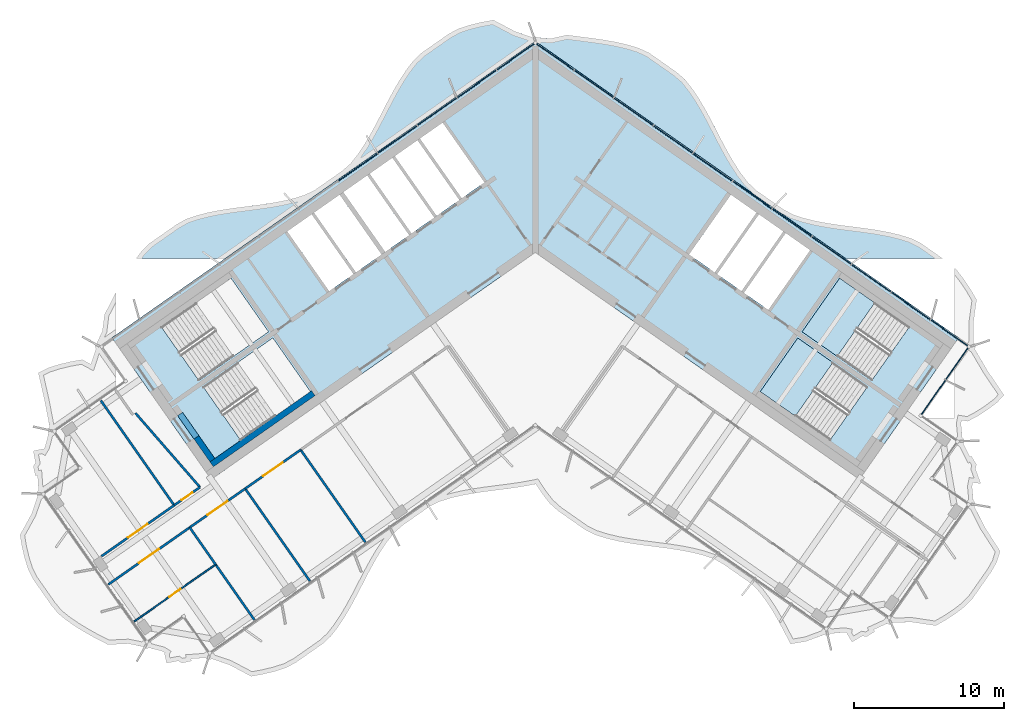
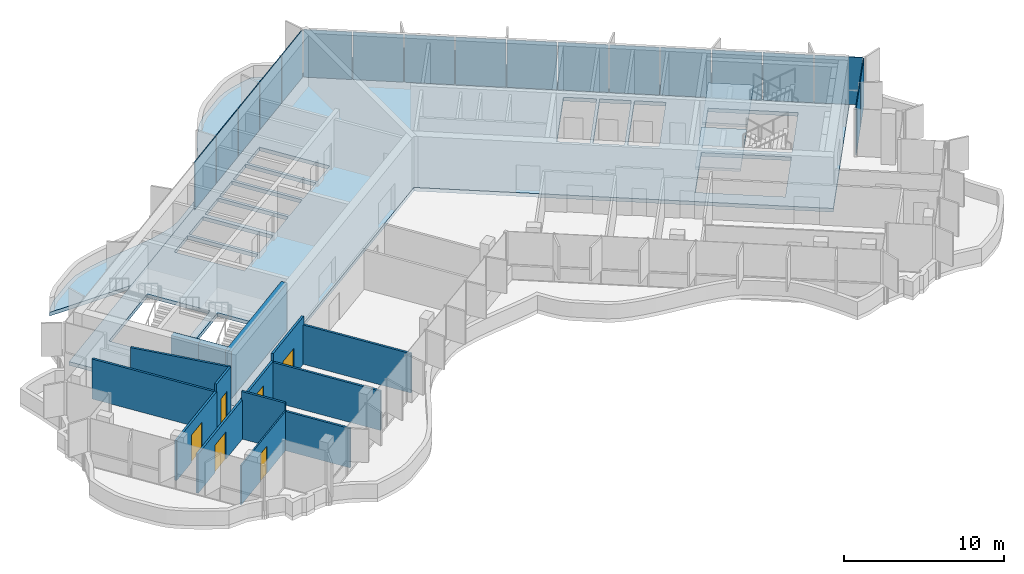
# One storey, part 8 of 17: 18 plates, 15 walls, 6 doors, 4 slabs, 6 openings, 3 elements without a shape of their own.
"""IFC4 building model written with IfcOpenShell, lengths in metres."""

from ifc_helpers import new_model, si_unit, direction, frame, frame_2d, origin, origin_2d, place, context, subcontext, project, spatial, polyline, rectangle, outline, extrude, material, layer, layer_set, type_object, element, fill, aggregate, save


model = new_model("IFC4")

# Units and contexts
model_context = context("Model", 3, precision=1e-05, world=origin(), true_north=direction((0.0, 1.0)))
body_context = subcontext(model_context, "Body", "Model", "MODEL_VIEW")
ifc_project = project(units=[si_unit("LENGTHUNIT", "METRE"), si_unit("AREAUNIT", "SQUARE_METRE"), si_unit("VOLUMEUNIT", "CUBIC_METRE"), si_unit("PLANEANGLEUNIT", "RADIAN"), si_unit("MASSUNIT", "GRAM", prefix="KILO")], contexts=[model_context])

# Site, building, storey
site_placement = place(None, origin())
site = spatial("IfcSite", under=ifc_project, at=site_placement, CompositionType="ELEMENT")
building_placement = place(site_placement, origin())
building = spatial("IfcBuilding", under=site, at=building_placement, Name="Tel Ilan Convention Tower", CompositionType="ELEMENT")
storey_placement = place(building_placement, frame((0.0, 0.0, 280.0)))
storey = spatial("IfcBuildingStorey", under=building, at=storey_placement, Name="L66", CompositionType="ELEMENT", Elevation=280.0)

# Curtain wall, plates
ifc_material_1 = material(Name="Aluminium, bronze anodised", Category="aluminium")
curtain_wall_type = type_object("IfcCurtainWallType", Name="CW2 STICK CURTAIN WALL, SPANDREL PANELS", PredefinedType="NOTDEFINED", material=ifc_material_1)
curtain_wall_placement = place(storey_placement, origin())
curtain_wall = element("IfcCurtainWall", 1, at=curtain_wall_placement, inside=storey, type_object=curtain_wall_type, Name="Curtain wall CW2-50.01", PredefinedType="NOTDEFINED")
ifc_material_2 = material(Name="Aluminium composite panel, bronze anodised", Category="aluminium")
ifc_layer_1 = layer(ifc_material_2, 0.06005859375)
ifc_layer_set_1 = layer_set([ifc_layer_1], Name="CW SPANDREL PANEL 60")
plate_type = type_object("IfcPlateType", Name="CW SPANDREL PANEL 60", PredefinedType="CURTAIN_PANEL", material=ifc_layer_set_1)
plate_1_placement = place(storey_placement, frame((26.45947265625, -10.85400390625, 0.0), z_axis=(0.0, 0.0, 1.0), x_axis=(0.573576436351, 0.819152044289, 0.0)))
plate_1 = element("IfcPlate", 2, at=plate_1_placement, type_object=plate_type, Name="Spandrel panel", PredefinedType="CURTAIN_PANEL", context=body_context, shape_type="SweptSolid", body=[
    extrude(rectangle(XDim=2.76904296875, YDim=0.06005859375, at=origin_2d()), origin(), (0.0, 0.0, 1.0), 3.6201171875),
])
plate_2_placement = place(storey_placement, frame((28.042236328125, -8.593505859375, 0.0), z_axis=(0.0, 0.0, 1.0), x_axis=(0.573576436351, 0.819152044289, 0.0)))
plate_2 = element("IfcPlate", 3, at=plate_2_placement, type_object=plate_type, Name="Spandrel panel", PredefinedType="CURTAIN_PANEL", context=body_context, shape_type="SweptSolid", body=[
    extrude(rectangle(XDim=2.6298828125, YDim=0.06005859375, at=origin_2d()), origin(), (0.0, 0.0, 1.0), 3.6201171875),
])
plate_3_placement = place(storey_placement, frame((27.5400390625, -6.587646484375, 0.0), z_axis=(0.0, 0.0, 1.0), x_axis=(-0.819152044289, 0.573576436351, 0.0)))
plate_3 = element("IfcPlate", 4, at=plate_3_placement, type_object=plate_type, Name="Spandrel panel", PredefinedType="CURTAIN_PANEL", context=body_context, shape_type="SweptSolid", body=[
    extrude(rectangle(XDim=3.0439453125, YDim=0.06005859375, at=origin_2d()), origin(), (0.0, 0.0, 1.0), 3.6201171875),
])
plate_4_placement = place(storey_placement, frame((24.95263671875, -4.77587890625, 0.0), z_axis=(0.0, 0.0, 1.0), x_axis=(-0.819152044289, 0.573576436351, 0.0)))
plate_4 = element("IfcPlate", 5, at=plate_4_placement, type_object=plate_type, Name="Spandrel panel", PredefinedType="CURTAIN_PANEL", context=body_context, shape_type="SweptSolid", body=[
    extrude(rectangle(XDim=3.15380859375, YDim=0.06005859375, at=origin_2d()), origin(), (0.0, 0.0, 1.0), 3.6201171875),
])
plate_5_placement = place(storey_placement, frame((22.31982421875, -2.9326171875, 0.0), z_axis=(0.0, 0.0, 1.0), x_axis=(-0.819152044289, 0.573576436351, 0.0)))
plate_5 = element("IfcPlate", 6, at=plate_5_placement, type_object=plate_type, Name="Spandrel panel", PredefinedType="CURTAIN_PANEL", context=body_context, shape_type="SweptSolid", body=[
    extrude(rectangle(XDim=3.15380859375, YDim=0.06005859375, at=origin_2d()), origin(), (0.0, 0.0, 1.0), 3.6201171875),
])
plate_6_placement = place(storey_placement, frame((19.687255859375, -1.089111328125, 0.0), z_axis=(0.0, 0.0, 1.0), x_axis=(-0.819152044289, 0.573576436351, 0.0)))
plate_6 = element("IfcPlate", 7, at=plate_6_placement, type_object=plate_type, Name="Spandrel panel", PredefinedType="CURTAIN_PANEL", context=body_context, shape_type="SweptSolid", body=[
    extrude(rectangle(XDim=3.15380859375, YDim=0.06005859375, at=origin_2d()), origin(), (0.0, 0.0, 1.0), 3.6201171875),
])
plate_7_placement = place(storey_placement, frame((17.0546875, 0.754150390625, 0.0), z_axis=(0.0, 0.0, 1.0), x_axis=(-0.819152044289, 0.573576436351, 0.0)))
plate_7 = element("IfcPlate", 8, at=plate_7_placement, type_object=plate_type, Name="Spandrel panel", PredefinedType="CURTAIN_PANEL", context=body_context, shape_type="SweptSolid", body=[
    extrude(rectangle(XDim=3.15380859375, YDim=0.06005859375, at=origin_2d()), origin(), (0.0, 0.0, 1.0), 3.6201171875),
])
plate_8_placement = place(storey_placement, frame((14.422119140625, 2.59765625, 0.0), z_axis=(0.0, 0.0, 1.0), x_axis=(-0.819152044289, 0.573576436351, 0.0)))
plate_8 = element("IfcPlate", 9, at=plate_8_placement, type_object=plate_type, Name="Spandrel panel", PredefinedType="CURTAIN_PANEL", context=body_context, shape_type="SweptSolid", body=[
    extrude(rectangle(XDim=3.15380859375, YDim=0.06005859375, at=origin_2d()), origin(), (0.0, 0.0, 1.0), 3.6201171875),
])
plate_9_placement = place(storey_placement, frame((11.789306640625, 4.44091796875, 0.0), z_axis=(0.0, 0.0, 1.0), x_axis=(-0.819152044289, 0.573576436351, 0.0)))
plate_9 = element("IfcPlate", 10, at=plate_9_placement, type_object=plate_type, Name="Spandrel panel", PredefinedType="CURTAIN_PANEL", context=body_context, shape_type="SweptSolid", body=[
    extrude(rectangle(XDim=3.15380859375, YDim=0.06005859375, at=origin_2d()), origin(), (0.0, 0.0, 1.0), 3.6201171875),
])
plate_10_placement = place(storey_placement, frame((9.15673828125, 6.284423828125, 0.0), z_axis=(0.0, 0.0, 1.0), x_axis=(-0.819152044289, 0.573576436351, 0.0)))
plate_10 = element("IfcPlate", 11, at=plate_10_placement, type_object=plate_type, Name="Spandrel panel", PredefinedType="CURTAIN_PANEL", context=body_context, shape_type="SweptSolid", body=[
    extrude(rectangle(XDim=3.15380859375, YDim=0.06005859375, at=origin_2d()), origin(), (0.0, 0.0, 1.0), 3.6201171875),
])
plate_11_placement = place(storey_placement, frame((6.524169921875, 8.127685546875, 0.0), z_axis=(0.0, 0.0, 1.0), x_axis=(-0.819152044289, 0.573576436351, 0.0)))
plate_11 = element("IfcPlate", 12, at=plate_11_placement, type_object=plate_type, Name="Spandrel panel", PredefinedType="CURTAIN_PANEL", context=body_context, shape_type="SweptSolid", body=[
    extrude(rectangle(XDim=3.15380859375, YDim=0.06005859375, at=origin_2d()), origin(), (0.0, 0.0, 1.0), 3.6201171875),
])
plate_12_placement = place(storey_placement, frame((3.8916015625, 9.97119140625, 0.0), z_axis=(0.0, 0.0, 1.0), x_axis=(-0.819152044289, 0.573576436351, 0.0)))
plate_12 = element("IfcPlate", 13, at=plate_12_placement, type_object=plate_type, Name="Spandrel panel", PredefinedType="CURTAIN_PANEL", context=body_context, shape_type="SweptSolid", body=[
    extrude(rectangle(XDim=3.15380859375, YDim=0.06005859375, at=origin_2d()), origin(), (0.0, 0.0, 1.0), 3.6201171875),
])
plate_13_placement = place(storey_placement, frame((1.303955078125, 11.782958984375, 0.0), z_axis=(0.0, 0.0, 1.0), x_axis=(-0.819152044289, 0.573576436351, 0.0)))
plate_13 = element("IfcPlate", 14, at=plate_13_placement, type_object=plate_type, Name="Spandrel panel", PredefinedType="CURTAIN_PANEL", context=body_context, shape_type="SweptSolid", body=[
    extrude(rectangle(XDim=3.0439453125, YDim=0.06005859375, at=origin_2d()), origin(), (0.0, 0.0, 1.0), 3.6201171875),
])
plate_14_placement = place(storey_placement, frame((-1.303955078125, 11.782958984375, 0.0), z_axis=(0.0, 0.0, 1.0), x_axis=(-0.819152044289, -0.573576436351, 0.0)))
plate_14 = element("IfcPlate", 15, at=plate_14_placement, type_object=plate_type, Name="Spandrel panel", PredefinedType="CURTAIN_PANEL", context=body_context, shape_type="SweptSolid", body=[
    extrude(rectangle(XDim=3.0439453125, YDim=0.06005859375, at=origin_2d()), origin(), (0.0, 0.0, 1.0), 3.6201171875),
])
plate_15_placement = place(storey_placement, frame((-3.8916015625, 9.97119140625, 0.0), z_axis=(0.0, 0.0, 1.0), x_axis=(-0.819152044289, -0.573576436351, 0.0)))
plate_15 = element("IfcPlate", 16, at=plate_15_placement, type_object=plate_type, Name="Spandrel panel", PredefinedType="CURTAIN_PANEL", context=body_context, shape_type="SweptSolid", body=[
    extrude(rectangle(XDim=3.15380859375, YDim=0.06005859375, at=origin_2d()), origin(), (0.0, 0.0, 1.0), 3.6201171875),
])
plate_16_placement = place(storey_placement, frame((-6.524169921875, 8.127685546875, 0.0), z_axis=(0.0, 0.0, 1.0), x_axis=(-0.819152044289, -0.573576436351, 0.0)))
plate_16 = element("IfcPlate", 17, at=plate_16_placement, type_object=plate_type, Name="Spandrel panel", PredefinedType="CURTAIN_PANEL", context=body_context, shape_type="SweptSolid", body=[
    extrude(rectangle(XDim=3.15380859375, YDim=0.06005859375, at=origin_2d()), origin(), (0.0, 0.0, 1.0), 3.6201171875),
])
plate_17_placement = place(storey_placement, frame((-9.15673828125, 6.284423828125, 0.0), z_axis=(0.0, 0.0, 1.0), x_axis=(-0.819152044289, -0.573576436351, 0.0)))
plate_17 = element("IfcPlate", 18, at=plate_17_placement, type_object=plate_type, Name="Spandrel panel", PredefinedType="CURTAIN_PANEL", context=body_context, shape_type="SweptSolid", body=[
    extrude(rectangle(XDim=3.15380859375, YDim=0.06005859375, at=origin_2d()), origin(), (0.0, 0.0, 1.0), 3.6201171875),
])
plate_18_placement = place(storey_placement, frame((-11.789306640625, 4.44091796875, 0.0), z_axis=(0.0, 0.0, 1.0), x_axis=(-0.819152044289, -0.573576436351, 0.0)))
plate_18 = element("IfcPlate", 19, at=plate_18_placement, type_object=plate_type, Name="Spandrel panel", PredefinedType="CURTAIN_PANEL", context=body_context, shape_type="SweptSolid", body=[
    extrude(rectangle(XDim=3.15380859375, YDim=0.06005859375, at=origin_2d()), origin(), (0.0, 0.0, 1.0), 3.6201171875),
])
aggregate(curtain_wall, [plate_1, plate_2, plate_3, plate_4, plate_5, plate_6, plate_7, plate_8, plate_9, plate_10, plate_11, plate_12, plate_13, plate_14, plate_15, plate_16, plate_17, plate_18])

# Stair, slab
ifc_material_3 = material(Name="Concrete C40/50", Category="concrete")
stair_type = type_object("IfcStairType", Name="Pressurised Exit Stair 22 risers 177 mm", PredefinedType="HALF_TURN_STAIR", material=ifc_material_3)
stair_1_placement = place(storey_placement, origin())
stair_1 = element("IfcStair", 20, at=stair_1_placement, inside=storey, type_object=stair_type, Name="L66 Pressurised Stair S3", PredefinedType="HALF_TURN_STAIR")
ifc_material_4 = material(Name="Concrete C40/50", Category="concrete")
ifc_layer_2 = layer(ifc_material_4, 0.199951171875)
ifc_layer_set_2 = layer_set([ifc_layer_2], Name="Concrete Stair Landing 200 mm C40/50")
slab_type_1 = type_object("IfcSlabType", Name="Concrete Stair Landing 200 mm", PredefinedType="LANDING", material=ifc_layer_set_2)
slab_1_placement = place(storey_placement, frame((0.0, 0.0, 1.75)))
slab_1 = element("IfcSlab", 21, at=slab_1_placement, type_object=slab_type_1, Name="S3 landing 1", PredefinedType="LANDING", context=body_context, shape_type="SweptSolid", body=[
    extrude(outline(polyline([(22.561767578125, -4.566650390625), (20.226318359375, -2.931640625), (17.7314453125, -6.494873046875), (20.066650390625, -8.130126953125), (22.561767578125, -4.566650390625)])), origin(), (0.0, 0.0, 1.0), 0.199951171875),
])
aggregate(stair_1, [slab_1])

stair_2_placement = place(storey_placement, origin())
stair_2 = element("IfcStair", 22, at=stair_2_placement, inside=storey, type_object=stair_type, Name="L66 Pressurised Stair S4", PredefinedType="HALF_TURN_STAIR")
slab_2_placement = place(storey_placement, frame((0.0, 0.0, 1.75)))
slab_2 = element("IfcSlab", 23, at=slab_2_placement, type_object=slab_type_1, Name="S4 landing 1", PredefinedType="LANDING", context=body_context, shape_type="SweptSolid", body=[
    extrude(outline(polyline([(19.77978515625, -8.53955078125), (17.444580078125, -6.904541015625), (14.949462890625, -10.4677734375), (17.28466796875, -12.10302734375), (19.77978515625, -8.53955078125)])), origin(), (0.0, 0.0, 1.0), 0.199951171875),
])
aggregate(stair_2, [slab_2])

# Slabs
ifc_material_5 = material(Name="Concrete C40/50", Category="concrete")
ifc_layer_3 = layer(ifc_material_5, 0.280029296875)
ifc_layer_set_3 = layer_set([ifc_layer_3], Name="Core Floor Slab 280 mm C40/50")
slab_type_2 = type_object("IfcSlabType", Name="Core Floor Slab 280 mm C40/50", PredefinedType="FLOOR", material=ifc_layer_set_3)
slab_3_placement = place(storey_placement, frame((0.0, 0.0, -0.280029296875)))
element("IfcSlab", 24, at=slab_3_placement, inside=storey, type_object=slab_type_2, Name="L66 core floor 1", PredefinedType="FLOOR", context=body_context, shape_type="SweptSolid", body=[
    extrude(outline(polyline([(0.0, 12.818115234375), (28.1396484375, -6.885498046875), (21.54345703125, -16.3056640625), (0.0, -1.220703125), (-21.54345703125, -16.3056640625), (-28.1396484375, -6.885498046875), (-13.013916015625, 3.705810546875), (-6.48876953125, 8.274658203125), (-4.6650390625, 9.5517578125), (-0.2412109375, 12.6494140625), (0.0, 12.818115234375)]), holes=[polyline([(-17.444580078125, -6.904541015625), (-22.072021484375, -10.144775390625), (-19.5771484375, -13.7080078125), (-14.949462890625, -10.4677734375), (-17.444580078125, -6.904541015625)]), polyline([(-17.7314453125, -6.494873046875), (-20.226318359375, -2.931640625), (-24.85400390625, -6.171875), (-22.35888671875, -9.735107421875), (-17.7314453125, -6.494873046875)]), polyline([(-14.864990234375, 1.310791015625), (-16.48291015625, 0.177978515625), (-13.701171875, -3.794921875), (-12.083251953125, -2.662109375), (-14.864990234375, 1.310791015625)]), polyline([(-14.701416015625, 1.425537109375), (-11.91943359375, -2.54736328125), (-10.2197265625, -1.357421875), (-13.001708984375, 2.615478515625), (-14.701416015625, 1.425537109375)]), polyline([(-11.168701171875, 3.89892578125), (-12.755859375, 2.78759765625), (-9.97412109375, -1.185302734375), (-8.386962890625, -0.073974609375), (-11.168701171875, 3.89892578125)]), polyline([(-9.499755859375, 5.067626953125), (-11.0048828125, 4.013671875), (-8.222900390625, 0.040771484375), (-6.718017578125, 1.0947265625), (-9.499755859375, 5.067626953125)]), polyline([(-9.3359375, 5.182373046875), (-6.553955078125, 1.20947265625), (-5.048828125, 2.263427734375), (-7.830810546875, 6.236328125), (-9.3359375, 5.182373046875)]), polyline([(17.444580078125, -6.904541015625), (14.949462890625, -10.4677734375), (19.5771484375, -13.7080078125), (22.072021484375, -10.144775390625), (17.444580078125, -6.904541015625)]), polyline([(20.226318359375, -2.931640625), (17.7314453125, -6.494873046875), (22.35888671875, -9.735107421875), (24.85400390625, -6.171875), (20.226318359375, -2.931640625)]), polyline([(15.48291015625, -5.04248046875), (18.2646484375, -1.069580078125), (16.646728515625, 0.063232421875), (13.864990234375, -3.90966796875), (15.48291015625, -5.04248046875)]), polyline([(13.701171875, -3.794921875), (16.48291015625, 0.177978515625), (14.864990234375, 1.310791015625), (12.083251953125, -2.662109375), (13.701171875, -3.794921875)]), polyline([(11.91943359375, -2.54736328125), (14.701416015625, 1.425537109375), (13.001708984375, 2.615478515625), (10.2197265625, -1.357421875), (11.91943359375, -2.54736328125)]), polyline([(-6.16162109375, 7.405029296875), (-7.666748046875, 6.35107421875), (-4.885009765625, 2.378173828125), (-3.3798828125, 3.43212890625), (-6.16162109375, 7.405029296875)])]), origin(), (0.0, 0.0, 1.0), 0.280029296875),
])
ifc_material_6 = material(Name="Concrete C40/50", Category="concrete")
ifc_layer_4 = layer(ifc_material_6, 0.280029296875)
ifc_layer_set_4 = layer_set([ifc_layer_4], Name="Edge Ledge Slab 280 mm C40/50")
slab_type_3 = type_object("IfcSlabType", Name="Edge Ledge Slab 280 mm C40/50", PredefinedType="FLOOR", material=ifc_layer_set_4)
slab_4_placement = place(storey_placement, frame((0.0, 0.0, -0.280029296875)))
element("IfcSlab", 25, at=slab_4_placement, inside=storey, type_object=slab_type_3, Name="L66 edge ledge 2", PredefinedType="FLOOR", context=body_context, shape_type="SweptSolid", body=[
    extrude(outline(polyline([(-23.1982421875, 1.006591796875), (-22.4697265625, 1.250244140625), (-21.705322265625, 1.44287109375), (-20.91259765625, 1.594482421875), (-20.099365234375, 1.71728515625), (-19.275146484375, 1.824462890625), (-18.44970703125, 1.9296875), (-17.6328125, 2.047119140625), (-16.833984375, 2.18994140625), (-16.0615234375, 2.37109375), (-15.3232421875, 2.6005859375), (-14.651611328125, 2.92529296875), (-12.841552734375, 4.192626953125), (-12.284912109375, 4.681640625), (-11.809326171875, 5.28662109375), (-11.369140625, 5.94189453125), (-10.956787109375, 6.63720703125), (-10.564453125, 7.36083984375), (-10.182373046875, 8.09912109375), (-9.80078125, 8.83837890625), (-9.410400390625, 9.564697265625), (-9.001220703125, 10.264404296875), (-8.56494140625, 10.925537109375), (-8.094482421875, 11.53759765625), (-7.552001953125, 12.047119140625), (-5.7421875, 13.314208984375), (-5.0849609375, 13.66015625), (-4.3515625, 13.896484375), (-3.5830078125, 14.083251953125), (-2.785888671875, 14.228515625), (-1.357666015625, 13.472900390625), (-0.172119140625, 13.06396484375), (-0.168701171875, 13.05908203125), (-0.11474609375, 13.09521484375), (0.0, 13.1181640625), (0.11474609375, 13.09521484375), (0.168701171875, 13.05908203125), (0.172119140625, 13.06396484375), (1.02001953125, 12.99072265625), (2.08935546875, 13.234130859375), (2.913818359375, 13.12744140625), (3.739501953125, 13.0224609375), (4.55712890625, 12.90625), (5.357666015625, 12.765380859375), (6.132080078125, 12.587158203125), (6.872802734375, 12.361083984375), (7.552001953125, 12.047119140625), (9.36181640625, 10.77978515625), (9.925537109375, 10.300537109375), (10.403564453125, 9.69921875), (10.845947265625, 9.046875), (11.259521484375, 8.353515625), (11.653076171875, 7.631591796875), (12.035400390625, 6.893798828125), (12.416748046875, 6.154052734375), (12.806396484375, 5.426513671875), (13.214111328125, 4.724609375), (13.648193359375, 4.060791015625), (14.116455078125, 3.4453125), (14.651611328125, 2.92529296875), (16.46142578125, 1.657958984375), (17.111328125, 1.30224609375), (17.84228515625, 1.062255859375), (18.60888671875, 0.87255859375), (19.4033203125, 0.72314453125), (20.21728515625, 0.601806640625), (21.0419921875, 0.495361328125), (21.8671875, 0.3896484375), (22.68310546875, 0.27099609375), (23.480712890625, 0.1259765625), (24.2509765625, -0.057861328125), (24.987060546875, -0.290771484375), (25.6513671875, -0.626220703125), (27.087158203125, -1.631591796875), (20.63623046875, -1.631591796875), (0.0, 12.818115234375), (-20.63623046875, -1.631591796875), (-26.535888671875, -1.631591796875), (-26.1787109375, -1.156982421875), (-25.6513671875, -0.626220703125), (-23.84130859375, 0.64111328125), (-23.1982421875, 1.006591796875)])), origin(), (0.0, 0.0, 1.0), 0.280029296875),
])

# Wall, opening, door
ifc_material_7 = material(Name="Plasterboard on Steel Studs", Category="steel")
ifc_layer_5 = layer(ifc_material_7, 0.14990234375)
ifc_layer_set_5 = layer_set([ifc_layer_5], Name="Fire-rated Partition 150 EI 60")
wall_type_1 = type_object("IfcWallType", Name="Fire-rated Partition 150 EI 60", PredefinedType="PARTITIONING", material=ifc_layer_set_5)
wall_1_placement = place(storey_placement, frame((-24.002685546875, -18.027587890625, 0.0), z_axis=(0.0, 0.0, 1.0), x_axis=(0.819182738768, 0.573532597595, 0.0)))
wall_1 = element("IfcWall", 26, at=wall_1_placement, inside=storey, type_object=wall_type_1, Name="Partition 007", PredefinedType="PARTITIONING", context=body_context, shape_type="SweptSolid", body=[
    extrude(rectangle(XDim=2.09912109375, YDim=0.14990234375, at=frame_2d((1.049560546875, 0.0))), origin(), (0.0, 0.0, 1.0), 3.6201171875),
])
opening_1_placement = place(wall_1_placement, frame((0.599609375, 0.0, 0.0)))
opening_1 = element("IfcOpeningElement", 27, at=opening_1_placement, cuts=wall_1, Name="Opening L65-007", PredefinedType="OPENING", context=body_context, shape_type="SweptSolid", body=[
    extrude(rectangle(XDim=0.89990234375, YDim=2.10009765625, at=frame_2d((0.449951171875, 1.050048828125))), frame((0.0, 0.0849609375, 0.0), z_axis=(0.0, -1.0, 0.0), x_axis=(1.0, 0.0, 0.0)), (0.0, 0.0, 1.0), 0.169921875),
])
ifc_material_8 = material(Name="Timber Door Leaf in Steel Frame", Category="steel")
door_type_1 = type_object("IfcDoorType", Name="Room Fire Door 900x2100", OperationType="NOTDEFINED", PredefinedType="DOOR", material=ifc_material_8)
door_1_placement = place(opening_1_placement, origin())
door_1 = element("IfcDoor", 28, at=door_1_placement, inside=storey, type_object=door_type_1, Name="Door L65-007", OperationType="SINGLE_SWING_LEFT", OverallHeight=2.10009765625, OverallWidth=0.89990234375, PredefinedType="DOOR", context=body_context, shape_type="SweptSolid", body=[
    extrude(rectangle(XDim=0.89990234375, YDim=2.10009765625, at=frame_2d((0.449951171875, 1.050048828125))), frame((0.0, 0.02490234375, 0.0), z_axis=(0.0, -1.0, 0.0), x_axis=(1.0, 0.0, 0.0)), (0.0, 0.0, 1.0), 0.050048828125),
])
fill(opening_1, door_1)

wall_2_placement = place(storey_placement, frame((-28.833984375, -21.41064453125, 0.0), z_axis=(0.0, 0.0, 1.0), x_axis=(0.819156123335, 0.573570610825, 0.0)))
wall_2 = element("IfcWall", 29, at=wall_2_placement, inside=storey, type_object=wall_type_1, Name="Partition 008", PredefinedType="PARTITIONING", context=body_context, shape_type="SweptSolid", body=[
    extrude(rectangle(XDim=5.902099609375, YDim=0.14990234375, at=frame_2d((2.951171875, 0.0))), origin(), (0.0, 0.0, 1.0), 3.050048828125),
])
opening_2_placement = place(wall_2_placement, frame((2.15087890625, 0.0, 0.0)))
opening_2 = element("IfcOpeningElement", 30, at=opening_2_placement, cuts=wall_2, Name="Opening L65-008", PredefinedType="OPENING", context=body_context, shape_type="SweptSolid", body=[
    extrude(rectangle(XDim=1.60009765625, YDim=2.10009765625, at=frame_2d((0.800048828125, 1.050048828125))), frame((0.0, 0.0849609375, 0.0), z_axis=(0.0, -1.0, 0.0), x_axis=(1.0, 0.0, 0.0)), (0.0, 0.0, 1.0), 0.169921875),
])
ifc_material_9 = material(Name="Timber Door Leaf in Steel Frame", Category="steel")
door_type_2 = type_object("IfcDoorType", Name="Tenant Suite Entrance Fire Door 1600x2100", OperationType="NOTDEFINED", PredefinedType="DOOR", material=ifc_material_9)
door_2_placement = place(opening_2_placement, origin())
door_2 = element("IfcDoor", 31, at=door_2_placement, inside=storey, type_object=door_type_2, Name="Door L65-008", OperationType="DOUBLE_DOOR_SINGLE_SWING", OverallHeight=2.10009765625, OverallWidth=1.60009765625, PredefinedType="DOOR", context=body_context, shape_type="SweptSolid", body=[
    extrude(rectangle(XDim=1.60009765625, YDim=2.10009765625, at=frame_2d((0.800048828125, 1.050048828125))), frame((0.0, 0.02490234375, 0.0), z_axis=(0.0, -1.0, 0.0), x_axis=(1.0, 0.0, 0.0)), (0.0, 0.0, 1.0), 0.050048828125),
])
fill(opening_2, door_2)

wall_3_placement = place(storey_placement, frame((-15.594482421875, -14.337646484375, 0.0), z_axis=(0.0, 0.0, 1.0), x_axis=(-0.819165703328, -0.573556928727, 0.0)))
wall_3 = element("IfcWall", 32, at=wall_3_placement, inside=storey, type_object=wall_type_1, Name="Partition 011", PredefinedType="PARTITIONING", context=body_context, shape_type="SweptSolid", body=[
    extrude(rectangle(XDim=4.50390625, YDim=0.14990234375, at=frame_2d((2.251953125, 0.0))), origin(), (0.0, 0.0, 1.0), 3.6201171875),
])
opening_3_placement = place(wall_3_placement, frame((1.451904296875, 0.0, 0.0)))
opening_3 = element("IfcOpeningElement", 33, at=opening_3_placement, cuts=wall_3, Name="Opening L65-003", PredefinedType="OPENING", context=body_context, shape_type="SweptSolid", body=[
    extrude(rectangle(XDim=1.60009765625, YDim=2.10009765625, at=frame_2d((0.800048828125, 1.050048828125))), frame((0.0, 0.0849609375, 0.0), z_axis=(0.0, -1.0, 0.0), x_axis=(1.0, 0.0, 0.0)), (0.0, 0.0, 1.0), 0.169921875),
])
door_3_placement = place(opening_3_placement, origin())
door_3 = element("IfcDoor", 34, at=door_3_placement, inside=storey, type_object=door_type_2, Name="Door L65-003", OperationType="DOUBLE_DOOR_SINGLE_SWING", OverallHeight=2.10009765625, OverallWidth=1.60009765625, PredefinedType="DOOR", context=body_context, shape_type="SweptSolid", body=[
    extrude(rectangle(XDim=1.60009765625, YDim=2.10009765625, at=frame_2d((0.800048828125, 1.050048828125))), frame((0.0, 0.02490234375, 0.0), z_axis=(0.0, -1.0, 0.0), x_axis=(1.0, 0.0, 0.0)), (0.0, 0.0, 1.0), 0.050048828125),
])
fill(opening_3, door_3)

wall_4_placement = place(storey_placement, frame((-19.28076171875, -16.918701171875, 0.0), z_axis=(0.0, 0.0, 1.0), x_axis=(-0.819140235121, -0.573593301221, 0.0)))
wall_4 = element("IfcWall", 35, at=wall_4_placement, inside=storey, type_object=wall_type_1, Name="Partition 012", PredefinedType="PARTITIONING", context=body_context, shape_type="SweptSolid", body=[
    extrude(rectangle(XDim=4.504150390625, YDim=0.14990234375, at=frame_2d((2.251953125, 0.0))), origin(), (0.0, 0.0, 1.0), 3.050048828125),
])
opening_4_placement = place(wall_4_placement, frame((1.451904296875, 0.0, 0.0)))
opening_4 = element("IfcOpeningElement", 36, at=opening_4_placement, cuts=wall_4, Name="Opening L65-004", PredefinedType="OPENING", context=body_context, shape_type="SweptSolid", body=[
    extrude(rectangle(XDim=1.60009765625, YDim=2.10009765625, at=frame_2d((0.800048828125, 1.050048828125))), frame((0.0, 0.0849609375, 0.0), z_axis=(0.0, -1.0, 0.0), x_axis=(1.0, 0.0, 0.0)), (0.0, 0.0, 1.0), 0.169921875),
])
door_4_placement = place(opening_4_placement, origin())
door_4 = element("IfcDoor", 37, at=door_4_placement, inside=storey, type_object=door_type_2, Name="Door L65-004", OperationType="DOUBLE_DOOR_SINGLE_SWING", OverallHeight=2.10009765625, OverallWidth=1.60009765625, PredefinedType="DOOR", context=body_context, shape_type="SweptSolid", body=[
    extrude(rectangle(XDim=1.60009765625, YDim=2.10009765625, at=frame_2d((0.800048828125, 1.050048828125))), frame((0.0, 0.02490234375, 0.0), z_axis=(0.0, -1.0, 0.0), x_axis=(1.0, 0.0, 0.0)), (0.0, 0.0, 1.0), 0.050048828125),
])
fill(opening_4, door_4)

wall_5_placement = place(storey_placement, frame((-22.966796875, -19.499755859375, 0.0), z_axis=(0.0, 0.0, 1.0), x_axis=(-0.81915199888, -0.573576501202, 0.0)))
wall_5 = element("IfcWall", 38, at=wall_5_placement, inside=storey, type_object=wall_type_1, Name="Partition 013", PredefinedType="PARTITIONING", context=body_context, shape_type="SweptSolid", body=[
    extrude(rectangle(XDim=6.602294921875, YDim=0.14990234375, at=frame_2d((3.30126953125, 0.0))), origin(), (0.0, 0.0, 1.0), 3.0),
])
opening_5_placement = place(wall_5_placement, frame((2.5009765625, 0.0, 0.0)))
opening_5 = element("IfcOpeningElement", 39, at=opening_5_placement, cuts=wall_5, Name="Opening L65-005", PredefinedType="OPENING", context=body_context, shape_type="SweptSolid", body=[
    extrude(rectangle(XDim=1.60009765625, YDim=2.10009765625, at=frame_2d((0.800048828125, 1.050048828125))), frame((0.0, 0.0849609375, 0.0), z_axis=(0.0, -1.0, 0.0), x_axis=(1.0, 0.0, 0.0)), (0.0, 0.0, 1.0), 0.169921875),
])
door_5_placement = place(opening_5_placement, origin())
door_5 = element("IfcDoor", 40, at=door_5_placement, inside=storey, type_object=door_type_2, Name="Door L65-005", OperationType="DOUBLE_DOOR_SINGLE_SWING", OverallHeight=2.10009765625, OverallWidth=1.60009765625, PredefinedType="DOOR", context=body_context, shape_type="SweptSolid", body=[
    extrude(rectangle(XDim=1.60009765625, YDim=2.10009765625, at=frame_2d((0.800048828125, 1.050048828125))), frame((0.0, 0.02490234375, 0.0), z_axis=(0.0, -1.0, 0.0), x_axis=(1.0, 0.0, 0.0)), (0.0, 0.0, 1.0), 0.050048828125),
])
fill(opening_5, door_5)

# Walls
wall_6_placement = place(storey_placement, frame((-22.28369140625, -16.826416015625, 0.0), z_axis=(0.0, 0.0, 1.0), x_axis=(-0.656758142177, 0.754101281449, 0.0)))
element("IfcWall", 41, at=wall_6_placement, inside=storey, type_object=wall_type_1, Name="Partition 023", PredefinedType="PARTITIONING", context=body_context, shape_type="SweptSolid", body=[
    extrude(rectangle(XDim=6.53857421875, YDim=0.14990234375, at=frame_2d((3.269287109375, 0.0))), origin(), (0.0, 0.0, 1.0), 3.6201171875),
])
wall_7_placement = place(storey_placement, frame((-24.0009765625, -18.0263671875, 0.0), z_axis=(0.0, 0.0, 1.0), x_axis=(-0.573591492816, 0.819141501433, 0.0)))
element("IfcWall", 42, at=wall_7_placement, inside=storey, type_object=wall_type_1, Name="Partition 024", PredefinedType="PARTITIONING", context=body_context, shape_type="SweptSolid", body=[
    extrude(rectangle(XDim=8.5, YDim=0.14990234375, at=frame_2d((4.25, 0.0))), origin(), (0.0, 0.0, 1.0), 3.050048828125),
])
for number, where, z_axis, x_axis, name in (
    (43, (-11.29443359375, -20.482421875, 0.0), (0.0, 0.0, 1.0), (-0.573560650686, 0.819163097304, 0.0), "Partition 026"),
    (44, (-14.98046875, -23.0634765625, 0.0), (0.0, 0.0, 1.0), (-0.573597787563, 0.819137093595, 0.0), "Partition 027"),
):
    element("IfcWall", number, at=place(storey_placement, frame(where, z_axis=z_axis, x_axis=x_axis)), inside=storey, type_object=wall_type_1, Name=name, PredefinedType="PARTITIONING", context=body_context, shape_type="SweptSolid", body=[
        extrude(rectangle(XDim=7.5, YDim=0.14990234375, at=frame_2d((3.75, 0.0))), origin(), (0.0, 0.0, 1.0), 3.0),
    ])
wall_8_placement = place(storey_placement, frame((-18.666748046875, -25.64453125, 0.0), z_axis=(0.0, 0.0, 1.0), x_axis=(-0.573556991349, 0.819165659482, 0.0)))
element("IfcWall", 45, at=wall_8_placement, inside=storey, type_object=wall_type_1, Name="Partition 028", PredefinedType="PARTITIONING", context=body_context, shape_type="SweptSolid", body=[
    extrude(rectangle(XDim=4.5009765625, YDim=0.14990234375, at=frame_2d((2.25048828125, 0.0))), origin(), (0.0, 0.0, 1.0), 3.0),
])
wall_9_placement = place(storey_placement, frame((-21.24658203125, -21.9599609375, 0.0), z_axis=(0.0, 0.0, 1.0), x_axis=(-0.573604249862, 0.819132568355, 0.0)))
element("IfcWall", 46, at=wall_9_placement, inside=storey, type_object=wall_type_1, Name="Partition 029", PredefinedType="PARTITIONING", context=body_context, shape_type="SweptSolid", body=[
    extrude(rectangle(XDim=3.001953125, YDim=0.14990234375, at=frame_2d((1.5009765625, 0.0))), origin(), (0.0, 0.0, 1.0), 3.6201171875),
])

# Wall, opening, door
ifc_material_10 = material(Name="Plasterboard on Steel Studs", Category="steel")
ifc_layer_6 = layer(ifc_material_10, 0.10009765625)
ifc_layer_set_6 = layer_set([ifc_layer_6], Name="Plasterboard Partition 100")
wall_type_2 = type_object("IfcWallType", Name="Plasterboard Partition 100", PredefinedType="PARTITIONING", material=ifc_layer_set_6)
wall_10_placement = place(storey_placement, frame((-21.247314453125, -21.959228515625, 0.0), z_axis=(0.0, 0.0, 1.0), x_axis=(-0.819141541656, -0.573591435374, 0.0)))
wall_10 = element("IfcWall", 47, at=wall_10_placement, inside=storey, type_object=wall_type_2, Name="Partition 030", PredefinedType="PARTITIONING", context=body_context, shape_type="SweptSolid", body=[
    extrude(rectangle(XDim=6.599853515625, YDim=0.10009765625, at=frame_2d((3.2998046875, 0.0))), origin(), (0.0, 0.0, 1.0), 3.0),
])
opening_6_placement = place(wall_10_placement, frame((2.85009765625, 0.0, 0.0)))
opening_6 = element("IfcOpeningElement", 48, at=opening_6_placement, cuts=wall_10, Name="Opening L65-006", PredefinedType="OPENING", context=body_context, shape_type="SweptSolid", body=[
    extrude(rectangle(XDim=0.89990234375, YDim=2.10009765625, at=frame_2d((0.449951171875, 1.050048828125))), frame((0.0, 0.06005859375, 0.0), z_axis=(0.0, -1.0, 0.0), x_axis=(1.0, 0.0, 0.0)), (0.0, 0.0, 1.0), 0.1201171875),
])
ifc_material_11 = material(Name="Timber Door Leaf in Steel Frame", Category="steel")
door_type_3 = type_object("IfcDoorType", Name="Room Timber Door 900x2100", OperationType="NOTDEFINED", PredefinedType="DOOR", material=ifc_material_11)
door_6_placement = place(opening_6_placement, origin())
door_6 = element("IfcDoor", 49, at=door_6_placement, inside=storey, type_object=door_type_3, Name="Door L65-006", OperationType="SINGLE_SWING_LEFT", OverallHeight=2.10009765625, OverallWidth=0.89990234375, PredefinedType="DOOR", context=body_context, shape_type="SweptSolid", body=[
    extrude(rectangle(XDim=0.89990234375, YDim=2.10009765625, at=frame_2d((0.449951171875, 1.050048828125))), frame((0.0, 0.02490234375, 0.0), z_axis=(0.0, -1.0, 0.0), x_axis=(1.0, 0.0, 0.0)), (0.0, 0.0, 1.0), 0.050048828125),
])
fill(opening_6, door_6)

# Walls
ifc_material_12 = material(Name="Concrete C30/37", Category="concrete")
ifc_layer_7 = layer(ifc_material_12, 0.39990234375)
ifc_layer_set_7 = layer_set([ifc_layer_7], Name="Stair and Shaft Lining Wall 400 mm C30/37")
wall_type_3 = type_object("IfcWallType", Name="Stair and Shaft Lining Wall 400 mm C30/37", PredefinedType="SOLIDWALL", material=ifc_layer_set_7)
wall_11_placement = place(storey_placement, frame((-14.7529296875, -10.57421875, 0.0), z_axis=(0.0, 0.0, 1.0), x_axis=(-0.819158229677, -0.573567602601, 0.0)))
element("IfcWall", 50, at=wall_11_placement, inside=storey, type_object=wall_type_3, Name="L66 core wall lining-S2-t0", PredefinedType="SOLIDWALL", context=body_context, shape_type="SweptSolid", body=[
    extrude(rectangle(XDim=8.25, YDim=0.39990234375, at=frame_2d((4.125, 0.0))), origin(), (0.0, 0.0, 1.0), 3.6201171875),
])
wall_12_placement = place(storey_placement, frame((-21.4619140625, -15.027587890625, 0.0), z_axis=(0.0, 0.0, 1.0), x_axis=(-0.573559770908, 0.819163713305, 0.0)))
element("IfcWall", 51, at=wall_12_placement, inside=storey, type_object=wall_type_3, Name="L66 core wall lining-S2-u1-0", PredefinedType="SOLIDWALL", context=body_context, shape_type="SweptSolid", body=[
    extrude(rectangle(XDim=1.849853515625, YDim=0.39990234375, at=frame_2d((0.9248046875, 0.0))), origin(), (0.0, 0.0, 1.0), 3.6201171875),
])
wall_13_placement = place(storey_placement, frame((-22.52294921875, -13.51220703125, 2.14990234375), z_axis=(0.0, 0.0, 1.0), x_axis=(-0.573591692345, 0.819141361715, 0.0)))
element("IfcWall", 52, at=wall_13_placement, inside=storey, type_object=wall_type_3, Name="L66 core wall lining-S2-u1-lintel", PredefinedType="SOLIDWALL", context=body_context, shape_type="SweptSolid", body=[
    extrude(rectangle(XDim=1.900146484375, YDim=0.39990234375, at=frame_2d((0.9501953125, 0.0))), origin(), (0.0, 0.0, 1.0), 1.47021484375),
])

save(model, "model.ifc")
